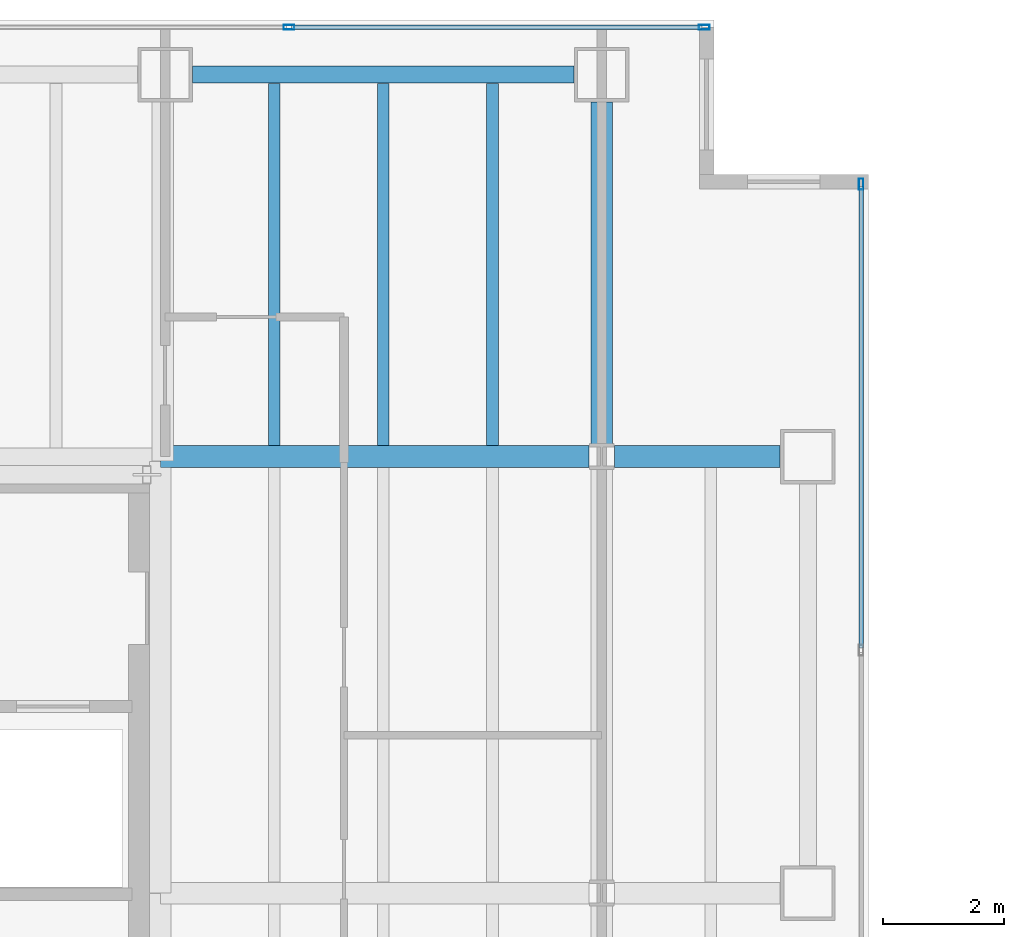
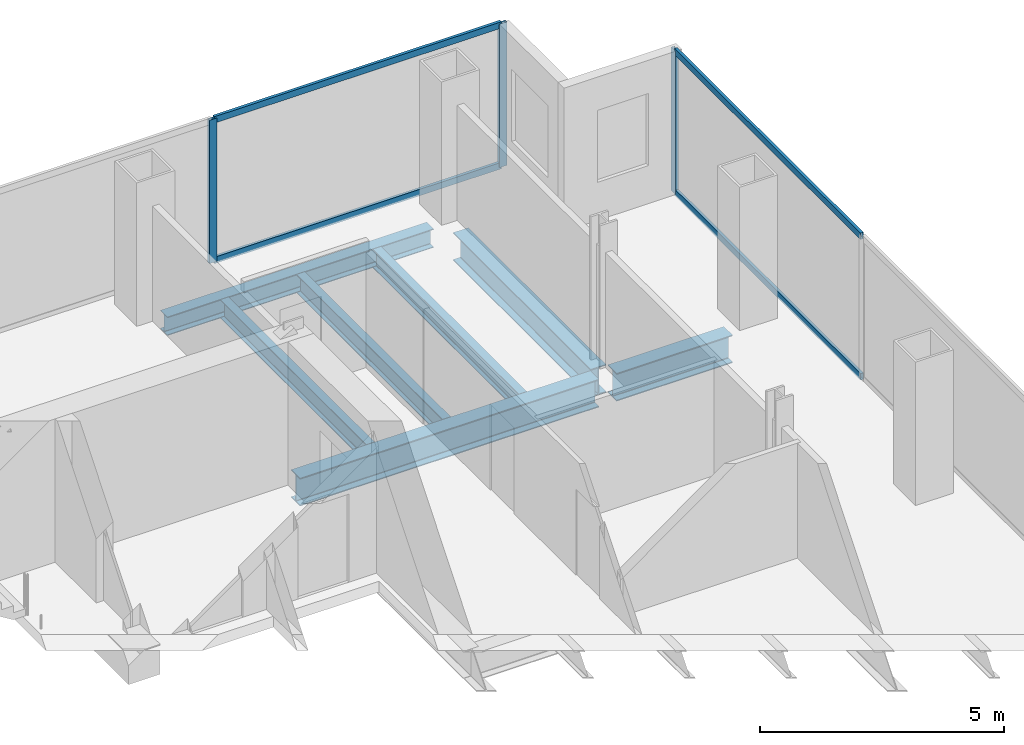
# One storey, part 18 of 23: 7 beams, 7 members, 2 elements without a shape of their own.
"""IFC4 building model written with IfcOpenShell, lengths in metres."""

from ifc_helpers import new_model, si_unit, direction, frame, origin, origin_2d, place, context, subcontext, project, spatial, hollow_rectangle, i_section, extrude, material, material_profile, profile_set, type_object, element, aggregate, save


model = new_model("IFC4")

# Units and contexts
model_context = context("Model", 3, precision=1e-05, world=origin(), true_north=direction((0.0, 1.0)))
body_context = subcontext(model_context, "Body", "Model", "MODEL_VIEW")
ifc_project = project(units=[si_unit("LENGTHUNIT", "METRE"), si_unit("AREAUNIT", "SQUARE_METRE"), si_unit("VOLUMEUNIT", "CUBIC_METRE"), si_unit("PLANEANGLEUNIT", "RADIAN"), si_unit("MASSUNIT", "GRAM", prefix="KILO")], contexts=[model_context])

# Site, building, storey
site_placement = place(None, origin())
site = spatial("IfcSite", under=ifc_project, at=site_placement, CompositionType="ELEMENT")
building_placement = place(site_placement, origin())
building = spatial("IfcBuilding", under=site, at=building_placement, Name="Cobrela Telecom Tower", CompositionType="ELEMENT")
storey_placement = place(building_placement, frame((0.0, 0.0, 129.14990234375)))
storey = spatial("IfcBuildingStorey", under=building, at=storey_placement, Name="L32", CompositionType="ELEMENT", Elevation=129.14990234375)

# Beams
ifc_material_1 = material(Name="Steel ASTM A992 Grade 50", Category="steel")
ifc_material_profile_1 = material_profile(ifc_material_1, i_section(OverallWidth=0.35595703125, OverallDepth=0.696044921875, WebThickness=0.015380859375, FlangeThickness=0.024658203125, FilletRadius=0.01806640625, at=origin_2d()), Name="W27X146")
ifc_profile_set_1 = profile_set([ifc_material_profile_1], Name="Steel ASTM A992 Grade 50")
beam_type_1 = type_object("IfcBeamType", Name="BM-GIRD-05", PredefinedType="USERDEFINED", material=ifc_profile_set_1)
beam_1_placement = place(storey_placement, frame((14.324951171875, 36.0, -0.617919921875), z_axis=(1.0, 0.0, 0.0), x_axis=(0.0, 1.0, 0.0)))
element("IfcBeam", 1, at=beam_1_placement, inside=storey, type_object=beam_type_1, Name="L32 Primary Girder X27", ObjectType="GIRDER", PredefinedType="USERDEFINED", context=body_context, shape_type="SweptSolid", body=[
    extrude(i_section(OverallWidth=0.35595703125, OverallDepth=0.696044921875, WebThickness=0.015380859375, FlangeThickness=0.024658203125, FilletRadius=0.01806640625, at=origin_2d()), origin(), (0.0, 0.0, 1.0), 7.0654296875),
])
beam_2_placement = place(storey_placement, frame((21.8095703125, 36.0, -0.617919921875), z_axis=(1.0, 0.0, 0.0), x_axis=(0.0, 1.0, 0.0)))
element("IfcBeam", 2, at=beam_2_placement, inside=storey, type_object=beam_type_1, Name="L32 Primary Girder X28", ObjectType="GIRDER", PredefinedType="USERDEFINED", context=body_context, shape_type="SweptSolid", body=[
    extrude(i_section(OverallWidth=0.35595703125, OverallDepth=0.696044921875, WebThickness=0.015380859375, FlangeThickness=0.024658203125, FilletRadius=0.01806640625, at=origin_2d()), origin(), (0.0, 0.0, 1.0), 2.7353515625),
])
beam_3_placement = place(storey_placement, frame((21.60009765625, 36.20947265625, -0.617919921875), z_axis=(0.0, 1.0, 0.0), x_axis=(-1.0, 0.0, 0.0)))
element("IfcBeam", 3, at=beam_3_placement, inside=storey, type_object=beam_type_1, Name="L32 Primary Girder Y44", ObjectType="GIRDER", PredefinedType="USERDEFINED", context=body_context, shape_type="SweptSolid", body=[
    extrude(i_section(OverallWidth=0.35595703125, OverallDepth=0.696044921875, WebThickness=0.015380859375, FlangeThickness=0.024658203125, FilletRadius=0.01806640625, at=origin_2d()), origin(), (0.0, 0.0, 1.0), 5.635498046875),
])
ifc_material_profile_2 = material_profile(ifc_material_1, i_section(OverallWidth=0.193115234375, OverallDepth=0.467041015625, WebThickness=0.011474609375, FlangeThickness=0.01904296875, FilletRadius=0.012939453125, at=origin_2d()), Name="W18X65")
ifc_profile_set_2 = profile_set([ifc_material_profile_2], Name="Steel ASTM A992 Grade 50")
beam_type_2 = type_object("IfcBeamType", Name="BM-JOIST-03", PredefinedType="JOIST", material=ifc_profile_set_2)
for number, where, z_axis, x_axis, name in (
    (4, (16.199951171875, 36.18310546875, -0.50341796875), (0.0, 1.0, 0.0), (-1.0, 0.0, 0.0), "L32 Secondary Composite Floor Beam J08"),
    (5, (18.0, 36.18310546875, -0.50341796875), (0.0, 1.0, 0.0), (-1.0, 0.0, 0.0), "L32 Secondary Composite Floor Beam J13"),
    (6, (19.800048828125, 36.18310546875, -0.50341796875), (0.0, 1.0, 0.0), (-1.0, 0.0, 0.0), "L32 Secondary Composite Floor Beam J18"),
):
    element("IfcBeam", number, at=place(storey_placement, frame(where, z_axis=z_axis, x_axis=x_axis)), inside=storey, type_object=beam_type_2, Name=name, PredefinedType="JOIST", context=body_context, shape_type="SweptSolid", body=[
        extrude(i_section(OverallWidth=0.193115234375, OverallDepth=0.467041015625, WebThickness=0.011474609375, FlangeThickness=0.01904296875, FilletRadius=0.012939453125, at=origin_2d()), origin(), (0.0, 0.0, 1.0), 5.970947265625),
    ])
ifc_material_profile_3 = material_profile(ifc_material_1, i_section(OverallWidth=0.281982421875, OverallDepth=0.467041015625, WebThickness=0.01220703125, FlangeThickness=0.01953125, FilletRadius=0.012939453125, at=origin_2d()), Name="W18X86")
ifc_profile_set_3 = profile_set([ifc_material_profile_3], Name="Steel ASTM A992 Grade 50")
beam_type_3 = type_object("IfcBeamType", Name="BM-SPAND-04", PredefinedType="SPANDREL", material=ifc_profile_set_3)
beam_4_placement = place(storey_placement, frame((14.85498046875, 42.300048828125, -0.50341796875), z_axis=(1.0, 0.0, 0.0), x_axis=(0.0, 1.0, 0.0)))
element("IfcBeam", 7, at=beam_4_placement, inside=storey, type_object=beam_type_3, Name="L32 Perimeter Spandrel X30", PredefinedType="SPANDREL", context=body_context, shape_type="SweptSolid", body=[
    extrude(i_section(OverallWidth=0.281982421875, OverallDepth=0.467041015625, WebThickness=0.01220703125, FlangeThickness=0.01953125, FilletRadius=0.012939453125, at=origin_2d()), origin(), (0.0, 0.0, 1.0), 6.2900390625),
])

# Curtain wall, members
ifc_material_2 = material(Name="Anodized Bronze Aluminium 6063-T6", Category="aluminium")
curtain_wall_type = type_object("IfcCurtainWallType", Name="CW-SYS-TEL", PredefinedType="USERDEFINED", material=ifc_material_2)
curtain_wall_1_placement = place(storey_placement, origin())
curtain_wall_1 = element("IfcCurtainWall", 8, at=curtain_wall_1_placement, inside=storey, type_object=curtain_wall_type, Name="L32 Unitised Bronze Curtain Wall 07", ObjectType="UNITISED CURTAIN WALL", PredefinedType="USERDEFINED")
ifc_material_profile_4 = material_profile(ifc_material_2, hollow_rectangle(XDim=0.074951171875, YDim=0.179931640625, WallThickness=0.00390625, at=origin_2d()), Name="ALU 75x180x4")
ifc_profile_set_4 = profile_set([ifc_material_profile_4], Name="Anodized Bronze Aluminium 6063-T6")
member_type_1 = type_object("IfcMemberType", Name="CW-SYS-TEL-MUL", PredefinedType="MULLION", material=ifc_profile_set_4)
member_1_placement = place(storey_placement, frame((16.443359375, 43.080078125, 0.0), z_axis=(0.0, 0.0, 1.0), x_axis=(0.0, 1.0, 0.0)))
member_1 = element("IfcMember", 9, at=member_1_placement, type_object=member_type_1, Name="CW-TEL mullion 3", PredefinedType="MULLION", context=body_context, shape_type="SweptSolid", body=[
    extrude(hollow_rectangle(XDim=0.074951171875, YDim=0.179931640625, WallThickness=0.00390625, at=origin_2d()), origin(), (0.0, 0.0, 1.0), 3.580078125),
])
member_2_placement = place(storey_placement, frame((23.29248046875, 43.080078125, 0.0), z_axis=(0.0, 0.0, 1.0), x_axis=(0.0, 1.0, 0.0)))
member_2 = element("IfcMember", 10, at=member_2_placement, type_object=member_type_1, Name="CW-TEL mullion 4", PredefinedType="MULLION", context=body_context, shape_type="SweptSolid", body=[
    extrude(hollow_rectangle(XDim=0.074951171875, YDim=0.179931640625, WallThickness=0.00390625, at=origin_2d()), origin(), (0.0, 0.0, 1.0), 3.580078125),
])

# Curtain wall, member
curtain_wall_2_placement = place(storey_placement, origin())
curtain_wall_2 = element("IfcCurtainWall", 11, at=curtain_wall_2_placement, inside=storey, type_object=curtain_wall_type, Name="L32 Unitised Bronze Curtain Wall 10", ObjectType="UNITISED CURTAIN WALL", PredefinedType="USERDEFINED")
member_3_placement = place(storey_placement, frame((25.8798828125, 40.492431640625, 0.0), z_axis=(0.0, 0.0, 1.0), x_axis=(1.0, 0.0, 0.0)))
member_3 = element("IfcMember", 12, at=member_3_placement, type_object=member_type_1, Name="CW-TEL mullion 1", PredefinedType="MULLION", context=body_context, shape_type="SweptSolid", body=[
    extrude(hollow_rectangle(XDim=0.074951171875, YDim=0.179931640625, WallThickness=0.00390625, at=origin_2d()), origin(), (0.0, 0.0, 1.0), 3.580078125),
])

# Member
ifc_material_profile_5 = material_profile(ifc_material_2, hollow_rectangle(XDim=0.070068359375, YDim=0.159912109375, WallThickness=0.00390625, at=origin_2d()), Name="ALU 70x160x4")
ifc_profile_set_5 = profile_set([ifc_material_profile_5], Name="Anodized Bronze Aluminium 6063-T6")
member_type_2 = type_object("IfcMemberType", Name="CW-SYS-TEL-TRN", PredefinedType="USERDEFINED", material=ifc_profile_set_5)
member_4_placement = place(storey_placement, frame((16.480712890625, 43.080078125, 0.03515625), z_axis=(1.0, 0.0, 0.0), x_axis=(0.0, 1.0, 0.0)))
member_4 = element("IfcMember", 13, at=member_4_placement, type_object=member_type_2, Name="CW-TEL transom 3.1", ObjectType="TRANSOM", PredefinedType="USERDEFINED", context=body_context, shape_type="SweptSolid", body=[
    extrude(hollow_rectangle(XDim=0.070068359375, YDim=0.159912109375, WallThickness=0.00390625, at=origin_2d()), origin(), (0.0, 0.0, 1.0), 6.774169921875),
])

member_5_placement = place(storey_placement, frame((16.480712890625, 43.080078125, 3.545166015625), z_axis=(1.0, 0.0, 0.0), x_axis=(0.0, 1.0, 0.0)))
member_5 = element("IfcMember", 14, at=member_5_placement, type_object=member_type_2, Name="CW-TEL transom 3.2", ObjectType="TRANSOM", PredefinedType="USERDEFINED", context=body_context, shape_type="SweptSolid", body=[
    extrude(hollow_rectangle(XDim=0.070068359375, YDim=0.159912109375, WallThickness=0.00390625, at=origin_2d()), origin(), (0.0, 0.0, 1.0), 6.774169921875),
])

aggregate(curtain_wall_1, [member_1, member_2, member_4, member_5])

member_6_placement = place(storey_placement, frame((25.8798828125, 40.455078125, 0.03515625), z_axis=(0.0, -1.0, 0.0), x_axis=(1.0, 0.0, 0.0)))
member_6 = element("IfcMember", 15, at=member_6_placement, type_object=member_type_2, Name="CW-TEL transom 1.1", ObjectType="TRANSOM", PredefinedType="USERDEFINED", context=body_context, shape_type="SweptSolid", body=[
    extrude(hollow_rectangle(XDim=0.070068359375, YDim=0.159912109375, WallThickness=0.00390625, at=origin_2d()), origin(), (0.0, 0.0, 1.0), 7.612548828125),
])

member_7_placement = place(storey_placement, frame((25.8798828125, 40.455078125, 3.545166015625), z_axis=(0.0, -1.0, 0.0), x_axis=(1.0, 0.0, 0.0)))
member_7 = element("IfcMember", 16, at=member_7_placement, type_object=member_type_2, Name="CW-TEL transom 1.2", ObjectType="TRANSOM", PredefinedType="USERDEFINED", context=body_context, shape_type="SweptSolid", body=[
    extrude(hollow_rectangle(XDim=0.070068359375, YDim=0.159912109375, WallThickness=0.00390625, at=origin_2d()), origin(), (0.0, 0.0, 1.0), 7.612548828125),
])

aggregate(curtain_wall_2, [member_3, member_6, member_7])

save(model, "model.ifc")
